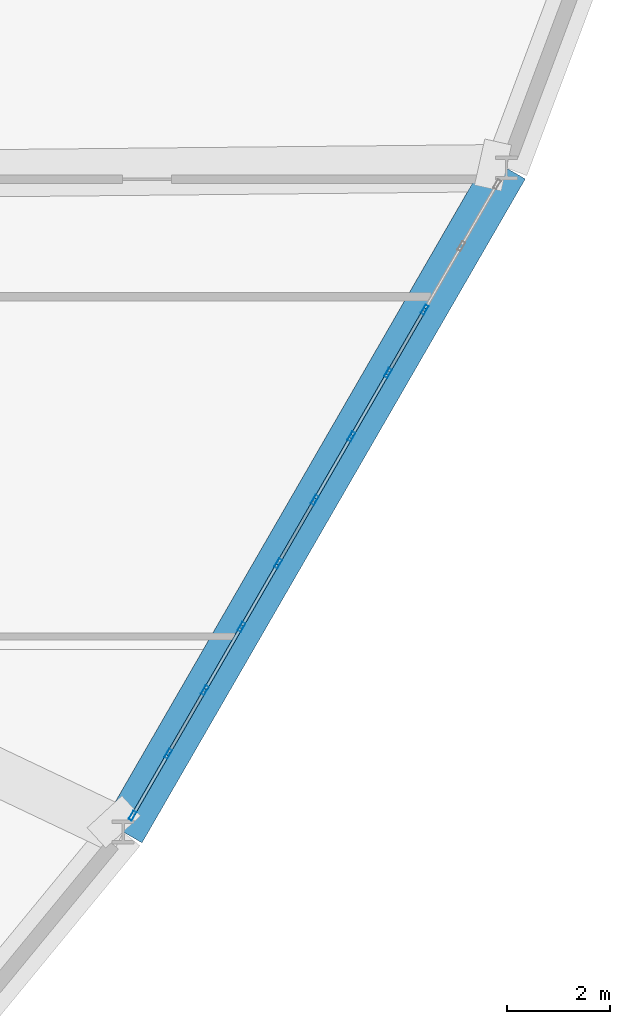
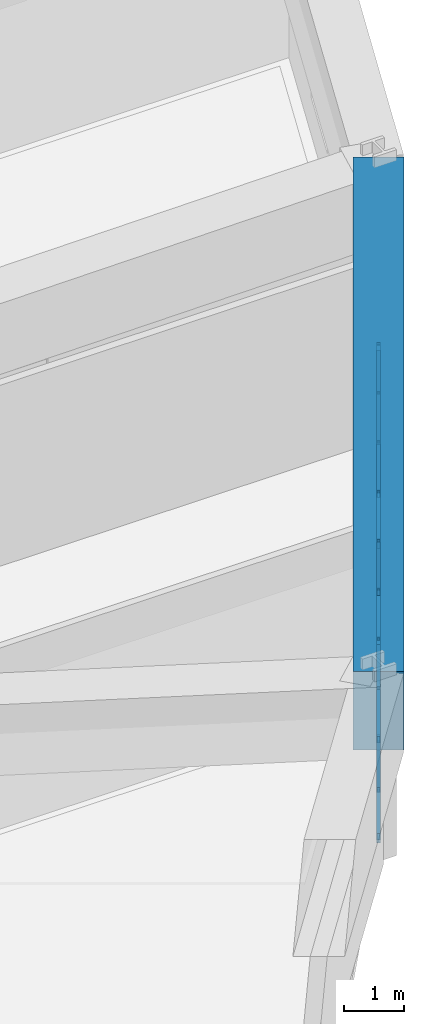
# One storey, part 6 of 17: 28 members, 1 beam, 1 element without a shape of its own.
"""IFC4 building model written with IfcOpenShell, lengths in metres."""

from ifc_helpers import new_model, si_unit, derived_unit, direction, frame, origin, origin_2d, place, context, subcontext, project, spatial, rectangle, hollow_rectangle, extrude, source, transform, mapped, material, layer, layer_set, material_profile, profile_set, type_object, element, aggregate, save


model = new_model("IFC4")

# Units and contexts
model_context = context("Model", 3, precision=1e-05, world=origin(), true_north=direction((0.0, 1.0)))
body_context = subcontext(model_context, "Body", "Model", "MODEL_VIEW")
ifc_project = project(units=[si_unit("LENGTHUNIT", "METRE"), si_unit("AREAUNIT", "SQUARE_METRE"), si_unit("VOLUMEUNIT", "CUBIC_METRE"), si_unit("PLANEANGLEUNIT", "RADIAN"), si_unit("MASSUNIT", "GRAM", prefix="KILO"), derived_unit("THERMALTRANSMITTANCEUNIT", [(si_unit("POWERUNIT", "WATT"), 1), (si_unit("LENGTHUNIT", "METRE"), -2), (si_unit("THERMODYNAMICTEMPERATUREUNIT", "KELVIN"), -1)])], contexts=[model_context])

# Site, building, storey
site_placement = place(None, origin())
site = spatial("IfcSite", under=ifc_project, at=site_placement, CompositionType="ELEMENT")
building_placement = place(site_placement, origin())
building = spatial("IfcBuilding", under=site, at=building_placement, Name="Korsvarv Bourse and Concert Hall", CompositionType="ELEMENT")
storey_placement = place(building_placement, frame((0.0, 0.0, 83.39990234375)))
storey = spatial("IfcBuildingStorey", under=building, at=storey_placement, Name="L20", CompositionType="ELEMENT", Elevation=83.39990234375)

# Beam
ifc_material_1 = material(Name="Concrete C55/67", Category="concrete")
ifc_material_profile_1 = material_profile(ifc_material_1, rectangle(XDim=0.85009765625, YDim=1.60009765625, at=origin_2d()), Name="RC-BM 850x1600")
ifc_profile_set_1 = profile_set([ifc_material_profile_1], Name="Concrete C55/67")
beam_type = type_object("IfcBeamType", Name="BM-TR1B", PredefinedType="BEAM", material=ifc_profile_set_1)
shared_shape_1 = source(origin(), body_context, "Body", "SweptSolid", [
    extrude(rectangle(XDim=0.85009765625, YDim=1.60009765625, at=origin_2d()), origin(), (0.0, 0.0, 1.0), 14.937255859375),
])
beam_placement = place(storey_placement, frame((53.671630859375, 19.59814453125, 2.880126953125), z_axis=(0.500006357572, 0.866021733208, 0.0), x_axis=(-0.866021733208, 0.500006357572, 0.0)))
element("IfcBeam", 1, at=beam_placement, inside=storey, type_object=beam_type, Name="L20 beam B-TR2", PredefinedType="BEAM", context=body_context, shape_type="MappedRepresentation", body=[
    mapped(shared_shape_1, transform((0.0, 0.0, 0.0), scale=1.0)),
])

# Curtain wall, members
ifc_material_2 = material(Name="Anodised aluminium and triple low-E glazing", Category="glass")
ifc_layer = layer(ifc_material_2, 0.219970703125)
ifc_layer_set = layer_set([ifc_layer], Name="Anodised aluminium and triple low-E glazing")
curtain_wall_type = type_object("IfcCurtainWallType", Name="CW-SYS-1", PredefinedType="NOTDEFINED", material=ifc_layer_set)
curtain_wall_placement = place(storey_placement, origin())
curtain_wall = element("IfcCurtainWall", 2, at=curtain_wall_placement, inside=storey, type_object=curtain_wall_type, Name="L20 CW1 curtain wall CW-L20-F11", PredefinedType="NOTDEFINED")
ifc_material_3 = material(Name="Extruded aluminium EN AW-6063 T66", Category="aluminium")
ifc_material_profile_2 = material_profile(ifc_material_3, hollow_rectangle(XDim=0.070068359375, YDim=0.18994140625, WallThickness=0.0048828125, at=origin_2d()), Name="ALU-M 70x190")
ifc_profile_set_2 = profile_set([ifc_material_profile_2], Name="Extruded aluminium EN AW-6063 T66")
member_type_1 = type_object("IfcMemberType", Name="CWM-190", PredefinedType="MULLION", material=ifc_profile_set_2)
shared_shape_2 = source(origin(), body_context, "Body", "SweptSolid", [
    extrude(hollow_rectangle(XDim=0.070068359375, YDim=0.18994140625, WallThickness=0.0048828125, at=origin_2d()), origin(), (0.0, 0.0, 1.0), 2.080078125),
])
member_1_placement = place(storey_placement, frame((53.854736328125, 19.91552734375, 0.0), z_axis=(0.0, 0.0, 1.0), x_axis=(-0.866024243871, 0.500002009023, 0.0)))
member_1 = element("IfcMember", 3, at=member_1_placement, type_object=member_type_1, Name="CW1 mullion 1", PredefinedType="MULLION", context=body_context, shape_type="MappedRepresentation", body=[
    mapped(shared_shape_2, transform((0.0, 0.0, 0.0), scale=1.0)),
])
member_2_placement = place(storey_placement, frame((54.551025390625, 21.121337890625, 0.0), z_axis=(0.0, 0.0, 1.0), x_axis=(-0.866024243871, 0.500002009023, 0.0)))
member_2 = element("IfcMember", 4, at=member_2_placement, type_object=member_type_1, Name="CW1 mullion 2", PredefinedType="MULLION", context=body_context, shape_type="MappedRepresentation", body=[
    mapped(shared_shape_2, transform((0.0, 0.0, 0.0), scale=1.0)),
])
member_3_placement = place(storey_placement, frame((55.2646484375, 22.357421875, 0.0), z_axis=(0.0, 0.0, 1.0), x_axis=(-0.866024243871, 0.500002009023, 0.0)))
member_3 = element("IfcMember", 5, at=member_3_placement, type_object=member_type_1, Name="CW1 mullion 3", PredefinedType="MULLION", context=body_context, shape_type="MappedRepresentation", body=[
    mapped(shared_shape_2, transform((0.0, 0.0, 0.0), scale=1.0)),
])
member_4_placement = place(storey_placement, frame((55.978515625, 23.59375, 0.0), z_axis=(0.0, 0.0, 1.0), x_axis=(-0.866024243871, 0.500002009023, 0.0)))
member_4 = element("IfcMember", 6, at=member_4_placement, type_object=member_type_1, Name="CW1 mullion 4", PredefinedType="MULLION", context=body_context, shape_type="MappedRepresentation", body=[
    mapped(shared_shape_2, transform((0.0, 0.0, 0.0), scale=1.0)),
])
member_5_placement = place(storey_placement, frame((56.692138671875, 24.829833984375, 0.0), z_axis=(0.0, 0.0, 1.0), x_axis=(-0.866024243871, 0.500002009023, 0.0)))
member_5 = element("IfcMember", 7, at=member_5_placement, type_object=member_type_1, Name="CW1 mullion 5", PredefinedType="MULLION", context=body_context, shape_type="MappedRepresentation", body=[
    mapped(shared_shape_2, transform((0.0, 0.0, 0.0), scale=1.0)),
])
member_6_placement = place(storey_placement, frame((57.406005859375, 26.066162109375, 0.0), z_axis=(0.0, 0.0, 1.0), x_axis=(-0.866024243871, 0.500002009023, 0.0)))
member_6 = element("IfcMember", 8, at=member_6_placement, type_object=member_type_1, Name="CW1 mullion 6", PredefinedType="MULLION", context=body_context, shape_type="MappedRepresentation", body=[
    mapped(shared_shape_2, transform((0.0, 0.0, 0.0), scale=1.0)),
])
member_7_placement = place(storey_placement, frame((58.11962890625, 27.30224609375, 0.0), z_axis=(0.0, 0.0, 1.0), x_axis=(-0.866024243871, 0.500002009023, 0.0)))
member_7 = element("IfcMember", 9, at=member_7_placement, type_object=member_type_1, Name="CW1 mullion 7", PredefinedType="MULLION", context=body_context, shape_type="MappedRepresentation", body=[
    mapped(shared_shape_2, transform((0.0, 0.0, 0.0), scale=1.0)),
])
member_8_placement = place(storey_placement, frame((58.83349609375, 28.53857421875, 0.0), z_axis=(0.0, 0.0, 1.0), x_axis=(-0.866024243871, 0.500002009023, 0.0)))
member_8 = element("IfcMember", 10, at=member_8_placement, type_object=member_type_1, Name="CW1 mullion 8", PredefinedType="MULLION", context=body_context, shape_type="MappedRepresentation", body=[
    mapped(shared_shape_2, transform((0.0, 0.0, 0.0), scale=1.0)),
])
member_9_placement = place(storey_placement, frame((59.547119140625, 29.774658203125, 0.0), z_axis=(0.0, 0.0, 1.0), x_axis=(-0.866024243871, 0.500002009023, 0.0)))
member_9 = element("IfcMember", 11, at=member_9_placement, type_object=member_type_1, Name="CW1 mullion 9", PredefinedType="MULLION", context=body_context, shape_type="MappedRepresentation", body=[
    mapped(shared_shape_2, transform((0.0, 0.0, 0.0), scale=1.0)),
])
ifc_material_profile_3 = material_profile(ifc_material_3, hollow_rectangle(XDim=0.06494140625, YDim=0.139892578125, WallThickness=0.00390625, at=origin_2d()), Name="ALU-T 65x140")
ifc_profile_set_3 = profile_set([ifc_material_profile_3], Name="Extruded aluminium EN AW-6063 T66")
member_type_2 = type_object("IfcMemberType", Name="CWT-140", PredefinedType="USERDEFINED", material=ifc_profile_set_3)
shared_shape_3 = source(origin(), body_context, "Body", "SweptSolid", [
    extrude(hollow_rectangle(XDim=0.06494140625, YDim=0.139892578125, WallThickness=0.00390625, at=origin_2d()), origin(), (0.0, 0.0, 1.0), 1.322509765625),
])
member_10_placement = place(storey_placement, frame((53.872314453125, 19.94580078125, 0.03271484375), z_axis=(0.499951520798, 0.866053391456, 0.0), x_axis=(-0.866053391456, 0.499951520798, 0.0)))
member_10 = element("IfcMember", 12, at=member_10_placement, type_object=member_type_2, Name="CW1 transom 1.1", ObjectType="TRANSOM", PredefinedType="USERDEFINED", context=body_context, shape_type="MappedRepresentation", body=[
    mapped(shared_shape_3, transform((0.0, 0.0, 0.0), scale=1.0)),
])
member_11_placement = place(storey_placement, frame((53.872314453125, 19.94580078125, 2.047607421875), z_axis=(0.499951520798, 0.866053391456, 0.0), x_axis=(-0.866053391456, 0.499951520798, 0.0)))
member_11 = element("IfcMember", 13, at=member_11_placement, type_object=member_type_2, Name="CW1 transom 1.2", ObjectType="TRANSOM", PredefinedType="USERDEFINED", context=body_context, shape_type="MappedRepresentation", body=[
    mapped(shared_shape_3, transform((0.0, 0.0, 0.0), scale=1.0)),
])
shared_shape_4 = source(origin(), body_context, "Body", "SweptSolid", [
    extrude(hollow_rectangle(XDim=0.06494140625, YDim=0.139892578125, WallThickness=0.00390625, at=origin_2d()), origin(), (0.0, 0.0, 1.0), 1.357421875),
])
member_12_placement = place(storey_placement, frame((54.568603515625, 21.151611328125, 0.03271484375), z_axis=(0.500007885066, 0.866020851292, 0.0), x_axis=(-0.866020851292, 0.500007885066, 0.0)))
member_12 = element("IfcMember", 14, at=member_12_placement, type_object=member_type_2, Name="CW1 transom 2.1", ObjectType="TRANSOM", PredefinedType="USERDEFINED", context=body_context, shape_type="MappedRepresentation", body=[
    mapped(shared_shape_4, transform((0.0, 0.0, 0.0), scale=1.0)),
])
member_13_placement = place(storey_placement, frame((54.568603515625, 21.151611328125, 2.047607421875), z_axis=(0.500007885066, 0.866020851292, 0.0), x_axis=(-0.866020851292, 0.500007885066, 0.0)))
member_13 = element("IfcMember", 15, at=member_13_placement, type_object=member_type_2, Name="CW1 transom 2.2", ObjectType="TRANSOM", PredefinedType="USERDEFINED", context=body_context, shape_type="MappedRepresentation", body=[
    mapped(shared_shape_4, transform((0.0, 0.0, 0.0), scale=1.0)),
])
member_14_placement = place(storey_placement, frame((55.2822265625, 22.387939453125, 0.03271484375), z_axis=(0.500007885066, 0.866020851292, 0.0), x_axis=(-0.866020851292, 0.500007885066, 0.0)))
member_14 = element("IfcMember", 16, at=member_14_placement, type_object=member_type_2, Name="CW1 transom 3.1", ObjectType="TRANSOM", PredefinedType="USERDEFINED", context=body_context, shape_type="MappedRepresentation", body=[
    mapped(shared_shape_4, transform((0.0, 0.0, 0.0), scale=1.0)),
])
member_15_placement = place(storey_placement, frame((55.2822265625, 22.387939453125, 2.047607421875), z_axis=(0.500007885066, 0.866020851292, 0.0), x_axis=(-0.866020851292, 0.500007885066, 0.0)))
member_15 = element("IfcMember", 17, at=member_15_placement, type_object=member_type_2, Name="CW1 transom 3.2", ObjectType="TRANSOM", PredefinedType="USERDEFINED", context=body_context, shape_type="MappedRepresentation", body=[
    mapped(shared_shape_4, transform((0.0, 0.0, 0.0), scale=1.0)),
])
member_16_placement = place(storey_placement, frame((55.99609375, 23.6240234375, 0.03271484375), z_axis=(0.500007885066, 0.866020851292, 0.0), x_axis=(-0.866020851292, 0.500007885066, 0.0)))
member_16 = element("IfcMember", 18, at=member_16_placement, type_object=member_type_2, Name="CW1 transom 4.1", ObjectType="TRANSOM", PredefinedType="USERDEFINED", context=body_context, shape_type="MappedRepresentation", body=[
    mapped(shared_shape_4, transform((0.0, 0.0, 0.0), scale=1.0)),
])
member_17_placement = place(storey_placement, frame((55.99609375, 23.6240234375, 2.047607421875), z_axis=(0.500007885066, 0.866020851292, 0.0), x_axis=(-0.866020851292, 0.500007885066, 0.0)))
member_17 = element("IfcMember", 19, at=member_17_placement, type_object=member_type_2, Name="CW1 transom 4.2", ObjectType="TRANSOM", PredefinedType="USERDEFINED", context=body_context, shape_type="MappedRepresentation", body=[
    mapped(shared_shape_4, transform((0.0, 0.0, 0.0), scale=1.0)),
])
member_18_placement = place(storey_placement, frame((56.709716796875, 24.8603515625, 0.03271484375), z_axis=(0.500007885066, 0.866020851292, 0.0), x_axis=(-0.866020851292, 0.500007885066, 0.0)))
member_18 = element("IfcMember", 20, at=member_18_placement, type_object=member_type_2, Name="CW1 transom 5.1", ObjectType="TRANSOM", PredefinedType="USERDEFINED", context=body_context, shape_type="MappedRepresentation", body=[
    mapped(shared_shape_4, transform((0.0, 0.0, 0.0), scale=1.0)),
])
member_19_placement = place(storey_placement, frame((56.709716796875, 24.8603515625, 2.047607421875), z_axis=(0.500007885066, 0.866020851292, 0.0), x_axis=(-0.866020851292, 0.500007885066, 0.0)))
member_19 = element("IfcMember", 21, at=member_19_placement, type_object=member_type_2, Name="CW1 transom 5.2", ObjectType="TRANSOM", PredefinedType="USERDEFINED", context=body_context, shape_type="MappedRepresentation", body=[
    mapped(shared_shape_4, transform((0.0, 0.0, 0.0), scale=1.0)),
])
member_20_placement = place(storey_placement, frame((57.42333984375, 26.096435546875, 0.03271484375), z_axis=(0.500142759665, 0.865942965763, 0.0), x_axis=(-0.865942965763, 0.500142759665, 0.0)))
member_20 = element("IfcMember", 22, at=member_20_placement, type_object=member_type_2, Name="CW1 transom 6.1", ObjectType="TRANSOM", PredefinedType="USERDEFINED", context=body_context, shape_type="MappedRepresentation", body=[
    mapped(shared_shape_4, transform((0.0, 0.0, 0.0), scale=1.0)),
])
member_21_placement = place(storey_placement, frame((57.42333984375, 26.096435546875, 2.047607421875), z_axis=(0.500142759665, 0.865942965763, 0.0), x_axis=(-0.865942965763, 0.500142759665, 0.0)))
member_21 = element("IfcMember", 23, at=member_21_placement, type_object=member_type_2, Name="CW1 transom 6.2", ObjectType="TRANSOM", PredefinedType="USERDEFINED", context=body_context, shape_type="MappedRepresentation", body=[
    mapped(shared_shape_4, transform((0.0, 0.0, 0.0), scale=1.0)),
])
member_22_placement = place(storey_placement, frame((58.13720703125, 27.332763671875, 0.03271484375), z_axis=(0.500007885066, 0.866020851292, 0.0), x_axis=(-0.866020851292, 0.500007885066, 0.0)))
member_22 = element("IfcMember", 24, at=member_22_placement, type_object=member_type_2, Name="CW1 transom 7.1", ObjectType="TRANSOM", PredefinedType="USERDEFINED", context=body_context, shape_type="MappedRepresentation", body=[
    mapped(shared_shape_4, transform((0.0, 0.0, 0.0), scale=1.0)),
])
member_23_placement = place(storey_placement, frame((58.13720703125, 27.332763671875, 2.047607421875), z_axis=(0.500007885066, 0.866020851292, 0.0), x_axis=(-0.866020851292, 0.500007885066, 0.0)))
member_23 = element("IfcMember", 25, at=member_23_placement, type_object=member_type_2, Name="CW1 transom 7.2", ObjectType="TRANSOM", PredefinedType="USERDEFINED", context=body_context, shape_type="MappedRepresentation", body=[
    mapped(shared_shape_4, transform((0.0, 0.0, 0.0), scale=1.0)),
])
member_24_placement = place(storey_placement, frame((58.850830078125, 28.56884765625, 0.03271484375), z_axis=(0.500007885066, 0.866020851292, 0.0), x_axis=(-0.866020851292, 0.500007885066, 0.0)))
member_24 = element("IfcMember", 26, at=member_24_placement, type_object=member_type_2, Name="CW1 transom 8.1", ObjectType="TRANSOM", PredefinedType="USERDEFINED", context=body_context, shape_type="MappedRepresentation", body=[
    mapped(shared_shape_4, transform((0.0, 0.0, 0.0), scale=1.0)),
])
member_25_placement = place(storey_placement, frame((58.850830078125, 28.56884765625, 2.047607421875), z_axis=(0.500007885066, 0.866020851292, 0.0), x_axis=(-0.866020851292, 0.500007885066, 0.0)))
member_25 = element("IfcMember", 27, at=member_25_placement, type_object=member_type_2, Name="CW1 transom 8.2", ObjectType="TRANSOM", PredefinedType="USERDEFINED", context=body_context, shape_type="MappedRepresentation", body=[
    mapped(shared_shape_4, transform((0.0, 0.0, 0.0), scale=1.0)),
])
ifc_material_profile_4 = material_profile(ifc_material_3, hollow_rectangle(XDim=0.06494140625, YDim=0.1650390625, WallThickness=0.0048828125, at=origin_2d()), Name="ALU-M 65x165")
ifc_profile_set_4 = profile_set([ifc_material_profile_4], Name="Extruded aluminium EN AW-6063 T66")
member_type_3 = type_object("IfcMemberType", Name="CWM-165", PredefinedType="MULLION", material=ifc_profile_set_4)
shared_shape_5 = source(origin(), body_context, "Body", "SweptSolid", [
    extrude(hollow_rectangle(XDim=0.06494140625, YDim=0.1650390625, WallThickness=0.0048828125, at=origin_2d()), origin(), (0.0, 0.0, 1.0), 2.3759765625),
])
member_26_placement = place(storey_placement, frame((54.568603515625, 21.151611328125, 0.065185546875), z_axis=(0.285666171261, 0.494777918929, 0.82072507549), x_axis=(-0.866020851292, 0.500007885066, 0.0)))
member_26 = element("IfcMember", 28, at=member_26_placement, type_object=member_type_3, Name="CW1 diagonal mullion 2", PredefinedType="MULLION", context=body_context, shape_type="MappedRepresentation", body=[
    mapped(shared_shape_5, transform((0.0, 0.0, 0.0), scale=1.0)),
])
member_27_placement = place(storey_placement, frame((57.388427734375, 26.035888671875, 0.065185546875), z_axis=(-0.285666171261, -0.494777918929, 0.82072507549), x_axis=(0.866020851292, -0.500007885066, 0.0)))
member_27 = element("IfcMember", 29, at=member_27_placement, type_object=member_type_3, Name="CW1 diagonal mullion 5", PredefinedType="MULLION", context=body_context, shape_type="MappedRepresentation", body=[
    mapped(shared_shape_5, transform((0.0, 0.0, 0.0), scale=1.0)),
])
member_28_placement = place(storey_placement, frame((58.850830078125, 28.56884765625, 0.065185546875), z_axis=(0.285666171261, 0.494777918929, 0.82072507549), x_axis=(-0.866020851292, 0.500007885066, 0.0)))
member_28 = element("IfcMember", 30, at=member_28_placement, type_object=member_type_3, Name="CW1 diagonal mullion 8", PredefinedType="MULLION", context=body_context, shape_type="MappedRepresentation", body=[
    mapped(shared_shape_5, transform((0.0, 0.0, 0.0), scale=1.0)),
])
aggregate(curtain_wall, [member_1, member_2, member_3, member_4, member_5, member_6, member_7, member_8, member_9, member_10, member_11, member_12, member_13, member_26, member_14, member_15, member_16, member_17, member_18, member_19, member_27, member_20, member_21, member_22, member_23, member_24, member_25, member_28])

save(model, "model.ifc")
